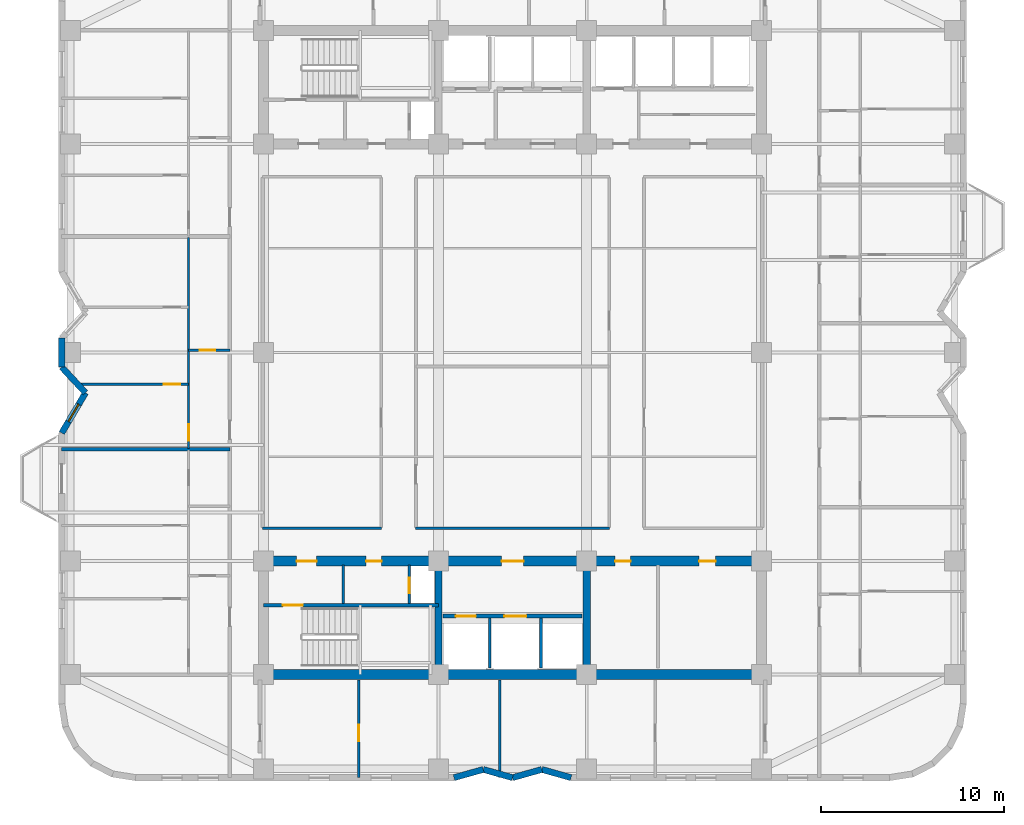
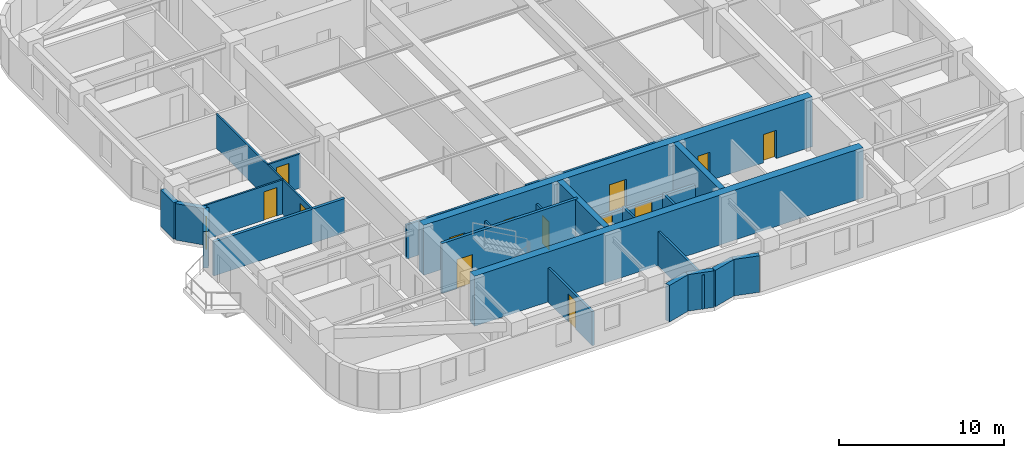
# One storey, part 3 of 10: 25 walls, 13 doors, 1 window, 14 openings.
"""IFC4 building model written with IfcOpenShell, lengths in metres."""

from ifc_helpers import new_model, si_unit, direction, frame, frame_2d, origin, place, context, subcontext, project, spatial, rectangle, extrude, material, layer, layer_set, type_object, element, fill, save


model = new_model("IFC4")

# Units and contexts
model_context = context("Model", 3, precision=1e-05, world=origin(), true_north=direction((0.0, 1.0)))
body_context = subcontext(model_context, "Body", "Model", "MODEL_VIEW")
ifc_project = project(units=[si_unit("LENGTHUNIT", "METRE"), si_unit("AREAUNIT", "SQUARE_METRE"), si_unit("VOLUMEUNIT", "CUBIC_METRE"), si_unit("PLANEANGLEUNIT", "RADIAN"), si_unit("MASSUNIT", "GRAM", prefix="KILO")], contexts=[model_context])

# Site, building, storey
site_placement = place(None, origin())
site = spatial("IfcSite", under=ifc_project, at=site_placement, CompositionType="ELEMENT")
building_placement = place(site_placement, origin())
building = spatial("IfcBuilding", under=site, at=building_placement, Name="Svetorya Sky Lyceum", CompositionType="ELEMENT")
storey_placement = place(building_placement, frame((0.0, 0.0, 114.199951171875)))
storey = spatial("IfcBuildingStorey", under=building, at=storey_placement, Name="L28", CompositionType="ELEMENT", Elevation=114.199951171875)

# Walls
ifc_material_1 = material(Name="Concrete C40/50", Category="concrete")
ifc_layer_1 = layer(ifc_material_1, 0.39990234375)
ifc_layer_set_1 = layer_set([ifc_layer_1], Name="Concrete C40/50")
wall_type_1 = type_object("IfcWallType", Name="WL-CORE-400", PredefinedType="SHEAR", material=ifc_layer_set_1)
for number, where, z_axis, x_axis, name in (
    (1, (35.14990234375, 10.875, 0.0), (0.0, 0.0, 1.0), (0.0, 1.0, 0.0), "L28 SC Internal Shear Web WEB1"),
    (2, (43.25, 10.875, 0.0), (0.0, 0.0, 1.0), (0.0, 1.0, 0.0), "L28 SC Internal Shear Web WEB2"),
):
    element("IfcWall", number, at=place(storey_placement, frame(where, z_axis=z_axis, x_axis=x_axis)), inside=storey, type_object=wall_type_1, Name=name, PredefinedType="SHEAR", context=body_context, shape_type="SweptSolid", body=[
        extrude(rectangle(XDim=5.64990234375, YDim=0.39990234375, at=frame_2d((2.824951171875, 0.0))), origin(), (0.0, 0.0, 1.0), 3.699951171875),
    ])
ifc_material_2 = material(Name="Concrete C60/75", Category="concrete")
ifc_layer_2 = layer(ifc_material_2, 0.550048828125)
ifc_layer_set_2 = layer_set([ifc_layer_2], Name="Concrete C60/75")
wall_type_2 = type_object("IfcWallType", Name="WL-CORE-550", PredefinedType="SHEAR", material=ifc_layer_set_2)
wall_1_placement = place(storey_placement, frame((52.800048828125, 10.60009765625, 0.0), z_axis=(0.0, 0.0, 1.0), x_axis=(-1.0, 0.0, 0.0)))
element("IfcWall", 3, at=wall_1_placement, inside=storey, type_object=wall_type_2, Name="L28 SC Outer Core Shear Wall", PredefinedType="SHEAR", context=body_context, shape_type="SweptSolid", body=[
    extrude(rectangle(XDim=27.199951171875, YDim=0.550048828125, at=frame_2d((13.60009765625, 0.0))), origin(), (0.0, 0.0, 1.0), 3.699951171875),
])

# Wall, openings, doors
wall_2_placement = place(storey_placement, frame((25.60009765625, 16.800048828125, 0.0), z_axis=(0.0, 0.0, 1.0), x_axis=(1.0, 0.0, 0.0)))
wall_2 = element("IfcWall", 4, at=wall_2_placement, inside=storey, type_object=wall_type_2, Name="L28 SC Inner Core Shear Wall", PredefinedType="SHEAR", context=body_context, shape_type="SweptSolid", body=[
    extrude(rectangle(XDim=27.199951171875, YDim=0.550048828125, at=frame_2d((13.60009765625, 0.0))), origin(), (0.0, 0.0, 1.0), 3.699951171875),
])
opening_1_placement = place(wall_2_placement, frame((1.800048828125, 0.0, 0.0)))
opening_1 = element("IfcOpeningElement", 5, at=opening_1_placement, cuts=wall_2, Name="Opening D-ST1", PredefinedType="OPENING", context=body_context, shape_type="SweptSolid", body=[
    extrude(rectangle(XDim=1.10009765625, YDim=2.14990234375, at=frame_2d((0.550048828125, 1.074951171875))), frame((0.0, 0.284912109375, 0.0), z_axis=(0.0, -1.0, 0.0), x_axis=(1.0, 0.0, 0.0)), (0.0, 0.0, 1.0), 0.570068359375),
])
opening_2_placement = place(wall_2_placement, frame((5.60009765625, 0.0, 0.0)))
opening_2 = element("IfcOpeningElement", 6, at=opening_2_placement, cuts=wall_2, Name="Opening D-CWC1", PredefinedType="OPENING", context=body_context, shape_type="SweptSolid", body=[
    extrude(rectangle(XDim=0.85009765625, YDim=2.10009765625, at=frame_2d((0.425048828125, 1.050048828125))), frame((0.0, 0.284912109375, 0.0), z_axis=(0.0, -1.0, 0.0), x_axis=(1.0, 0.0, 0.0)), (0.0, 0.0, 1.0), 0.570068359375),
])
opening_3_placement = place(wall_2_placement, frame((13.0, 0.0, 0.0)))
opening_3 = element("IfcOpeningElement", 7, at=opening_3_placement, cuts=wall_2, Name="Opening D-FL1", PredefinedType="OPENING", context=body_context, shape_type="SweptSolid", body=[
    extrude(rectangle(XDim=1.199951171875, YDim=2.14990234375, at=frame_2d((0.60009765625, 1.074951171875))), frame((0.0, 0.284912109375, 0.0), z_axis=(0.0, -1.0, 0.0), x_axis=(1.0, 0.0, 0.0)), (0.0, 0.0, 1.0), 0.570068359375),
])
opening_4_placement = place(wall_2_placement, frame((19.199951171875, 0.0, 0.0)))
opening_4 = element("IfcOpeningElement", 8, at=opening_4_placement, cuts=wall_2, Name="Opening D-CWC1", PredefinedType="OPENING", context=body_context, shape_type="SweptSolid", body=[
    extrude(rectangle(XDim=0.85009765625, YDim=2.10009765625, at=frame_2d((0.425048828125, 1.050048828125))), frame((0.0, 0.284912109375, 0.0), z_axis=(0.0, -1.0, 0.0), x_axis=(1.0, 0.0, 0.0)), (0.0, 0.0, 1.0), 0.570068359375),
])
opening_5_placement = place(wall_2_placement, frame((23.800048828125, 0.0, 0.0)))
opening_5 = element("IfcOpeningElement", 9, at=opening_5_placement, cuts=wall_2, Name="Opening D-RM1", PredefinedType="OPENING", context=body_context, shape_type="SweptSolid", body=[
    extrude(rectangle(XDim=0.89990234375, YDim=2.10009765625, at=frame_2d((0.449951171875, 1.050048828125))), frame((0.0, 0.284912109375, 0.0), z_axis=(0.0, -1.0, 0.0), x_axis=(1.0, 0.0, 0.0)), (0.0, 0.0, 1.0), 0.570068359375),
])
ifc_material_3 = material(Name="Fire-rated galvanized steel core service closet door", Category="steel")
door_type_1 = type_object("IfcDoorType", Name="DR-CWET-850", OperationType="SINGLE_SWING_LEFT", PredefinedType="DOOR", material=ifc_material_3)
door_1_placement = place(opening_2_placement, origin())
door_1 = element("IfcDoor", 10, at=door_1_placement, inside=storey, type_object=door_type_1, Name="L28 South Hydrant Room Door", OperationType="SINGLE_SWING_LEFT", OverallHeight=2.10009765625, OverallWidth=0.85009765625, PredefinedType="DOOR", context=body_context, shape_type="SweptSolid", body=[
    extrude(rectangle(XDim=0.85009765625, YDim=2.10009765625, at=frame_2d((0.425048828125, 1.050048828125))), frame((0.0, 0.02490234375, 0.0), z_axis=(0.0, -1.0, 0.0), x_axis=(1.0, 0.0, 0.0)), (0.0, 0.0, 1.0), 0.050048828125),
])
fill(opening_2, door_1)
door_2_placement = place(opening_4_placement, origin())
door_2 = element("IfcDoor", 11, at=door_2_placement, inside=storey, type_object=door_type_1, Name="L28 Laundry Door", OperationType="SINGLE_SWING_RIGHT", OverallHeight=2.10009765625, OverallWidth=0.85009765625, PredefinedType="DOOR", context=body_context, shape_type="SweptSolid", body=[
    extrude(rectangle(XDim=0.85009765625, YDim=2.10009765625, at=frame_2d((0.425048828125, 1.050048828125))), frame((0.0, 0.02490234375, 0.0), z_axis=(0.0, -1.0, 0.0), x_axis=(1.0, 0.0, 0.0)), (0.0, 0.0, 1.0), 0.050048828125),
])
fill(opening_4, door_2)
ifc_material_4 = material(Name="Powder-coated insulated galvanized stair fire door")
door_type_2 = type_object("IfcDoorType", Name="DR-FIRE-1100", OperationType="SINGLE_SWING_LEFT", PredefinedType="DOOR", material=ifc_material_4)
door_3_placement = place(opening_1_placement, origin())
door_3 = element("IfcDoor", 12, at=door_3_placement, inside=storey, type_object=door_type_2, Name="L28 South Stair Airlock Door", OperationType="SINGLE_SWING_RIGHT", OverallHeight=2.14990234375, OverallWidth=1.10009765625, PredefinedType="DOOR", context=body_context, shape_type="SweptSolid", body=[
    extrude(rectangle(XDim=1.10009765625, YDim=2.14990234375, at=frame_2d((0.550048828125, 1.074951171875))), frame((0.0, 0.02490234375, 0.0), z_axis=(0.0, -1.0, 0.0), x_axis=(1.0, 0.0, 0.0)), (0.0, 0.0, 1.0), 0.050048828125),
])
fill(opening_1, door_3)
ifc_material_5 = material(Name="Powder-coated insulated galvanized fire door")
door_type_3 = type_object("IfcDoorType", Name="DR-FIRE-1200", OperationType="SINGLE_SWING_LEFT", PredefinedType="DOOR", material=ifc_material_5)
door_4_placement = place(opening_3_placement, origin())
door_4 = element("IfcDoor", 13, at=door_4_placement, inside=storey, type_object=door_type_3, Name="L28 South Firefighting Lift Lobby Door", OperationType="SINGLE_SWING_LEFT", OverallHeight=2.14990234375, OverallWidth=1.199951171875, PredefinedType="DOOR", context=body_context, shape_type="SweptSolid", body=[
    extrude(rectangle(XDim=1.199951171875, YDim=2.14990234375, at=frame_2d((0.60009765625, 1.074951171875))), frame((0.0, 0.02490234375, 0.0), z_axis=(0.0, -1.0, 0.0), x_axis=(1.0, 0.0, 0.0)), (0.0, 0.0, 1.0), 0.050048828125),
])
fill(opening_3, door_4)
ifc_material_6 = material(Name="Lacquered birch veneer internal door")
door_type_4 = type_object("IfcDoorType", Name="DR-INT-900", OperationType="SINGLE_SWING_LEFT", PredefinedType="DOOR", material=ifc_material_6)
door_5_placement = place(opening_5_placement, origin())
door_5 = element("IfcDoor", 14, at=door_5_placement, inside=storey, type_object=door_type_4, Name="L28 Pantry Door", OperationType="SINGLE_SWING_LEFT", OverallHeight=2.10009765625, OverallWidth=0.89990234375, PredefinedType="DOOR", context=body_context, shape_type="SweptSolid", body=[
    extrude(rectangle(XDim=0.89990234375, YDim=2.10009765625, at=frame_2d((0.449951171875, 1.050048828125))), frame((0.0, 0.02490234375, 0.0), z_axis=(0.0, -1.0, 0.0), x_axis=(1.0, 0.0, 0.0)), (0.0, 0.0, 1.0), 0.050048828125),
])
fill(opening_5, door_5)

# Walls
ifc_material_7 = material(Name="Putilovo limestone rainscreen on autoclaved cellular masonry", Category="masonry")
ifc_layer_3 = layer(ifc_material_7, 0.340087890625)
ifc_layer_set_3 = layer_set([ifc_layer_3], Name="Putilovo limestone rainscreen on autoclaved cellular masonry")
wall_type_3 = type_object("IfcWallType", Name="WL-EXT-340", PredefinedType="SOLIDWALL", material=ifc_layer_set_3)
wall_3_placement = place(storey_placement, frame((36.0, 4.969970703125, 0.0), z_axis=(0.0, 0.0, 1.0), x_axis=(0.962662902433, 0.270703040766, 0.0)))
element("IfcWall", 15, at=wall_3_placement, inside=storey, type_object=wall_type_3, Name="L28 Limestone Exterior Wall 7M", PredefinedType="SOLIDWALL", context=body_context, shape_type="SweptSolid", body=[
    extrude(rectangle(XDim=1.662109375, YDim=0.340087890625, at=frame_2d((0.8310546875, 0.0))), origin(), (0.0, 0.0, 1.0), 2.699951171875),
])
wall_4_placement = place(storey_placement, frame((37.60009765625, 5.419921875, 0.0), z_axis=(0.0, 0.0, 1.0), x_axis=(0.962652136636, -0.270741322725, 0.0)))
element("IfcWall", 16, at=wall_4_placement, inside=storey, type_object=wall_type_3, Name="L28 Limestone Exterior Wall 8M", PredefinedType="SOLIDWALL", context=body_context, shape_type="SweptSolid", body=[
    extrude(rectangle(XDim=1.661865234375, YDim=0.340087890625, at=frame_2d((0.8310546875, 0.0))), origin(), (0.0, 0.0, 1.0), 2.699951171875),
])
wall_5_placement = place(storey_placement, frame((39.199951171875, 4.969970703125, 0.0), z_axis=(0.0, 0.0, 1.0), x_axis=(0.962662902433, 0.270703040766, 0.0)))
element("IfcWall", 17, at=wall_5_placement, inside=storey, type_object=wall_type_3, Name="L28 Limestone Exterior Wall 9M", PredefinedType="SOLIDWALL", context=body_context, shape_type="SweptSolid", body=[
    extrude(rectangle(XDim=1.662109375, YDim=0.340087890625, at=frame_2d((0.8310546875, 0.0))), origin(), (0.0, 0.0, 1.0), 2.699951171875),
])
wall_6_placement = place(storey_placement, frame((40.800048828125, 5.419921875, 0.0), z_axis=(0.0, 0.0, 1.0), x_axis=(0.962652136636, -0.270741322725, 0.0)))
element("IfcWall", 18, at=wall_6_placement, inside=storey, type_object=wall_type_3, Name="L28 Limestone Exterior Wall 10M", PredefinedType="SOLIDWALL", context=body_context, shape_type="SweptSolid", body=[
    extrude(rectangle(XDim=1.661865234375, YDim=0.340087890625, at=frame_2d((0.8310546875, 0.0))), origin(), (0.0, 0.0, 1.0), 2.699951171875),
])
wall_7_placement = place(storey_placement, frame((14.570068359375, 29.0, 0.0), z_axis=(0.0, 0.0, 1.0), x_axis=(0.0, -1.0, 0.0)))
element("IfcWall", 19, at=wall_7_placement, inside=storey, type_object=wall_type_3, Name="L28 Limestone Exterior Wall 43M", PredefinedType="SOLIDWALL", context=body_context, shape_type="SweptSolid", body=[
    extrude(rectangle(XDim=1.60009765625, YDim=0.340087890625, at=frame_2d((0.800048828125, 0.0))), origin(), (0.0, 0.0, 1.0), 2.699951171875),
])
wall_8_placement = place(storey_placement, frame((14.570068359375, 27.39990234375, 0.0), z_axis=(0.0, 0.0, 1.0), x_axis=(0.68049031116, -0.732757078722, 0.0)))
element("IfcWall", 20, at=wall_8_placement, inside=storey, type_object=wall_type_3, Name="L28 Limestone Exterior Wall 44M", PredefinedType="SOLIDWALL", context=body_context, shape_type="SweptSolid", body=[
    extrude(rectangle(XDim=1.910400390625, YDim=0.340087890625, at=frame_2d((0.955078125, 0.0))), origin(), (0.0, 0.0, 1.0), 2.699951171875),
])

# Wall, opening, window
wall_9_placement = place(storey_placement, frame((15.8701171875, 26.0, 0.0), z_axis=(0.0, 0.0, 1.0), x_axis=(-0.508751843651, -0.860913213734, 0.0)))
wall_9 = element("IfcWall", 21, at=wall_9_placement, inside=storey, type_object=wall_type_3, Name="L28 Limestone Exterior Wall 45M", PredefinedType="SOLIDWALL", context=body_context, shape_type="SweptSolid", body=[
    extrude(rectangle(XDim=2.555419921875, YDim=0.340087890625, at=frame_2d((1.27783203125, 0.0))), origin(), (0.0, 0.0, 1.0), 2.699951171875),
])
opening_6_placement = place(wall_9_placement, frame((0.727783203125, 0.0, 0.889892578125)))
opening_6 = element("IfcOpeningElement", 22, at=opening_6_placement, cuts=wall_9, Name="Opening W-R3", PredefinedType="OPENING", context=body_context, shape_type="SweptSolid", body=[
    extrude(rectangle(XDim=1.10009765625, YDim=1.64990234375, at=frame_2d((0.550048828125, 0.824951171875))), frame((0.0, 0.179931640625, 0.0), z_axis=(0.0, -1.0, 0.0), x_axis=(1.0, 0.0, 0.0)), (0.0, 0.0, 1.0), 0.360107421875),
])
ifc_material_8 = material(Name="Thermally broken aluminium frame with triple low-E glazing", Category="aluminium")
window_type = type_object("IfcWindowType", Name="WN-RES-110", PartitioningType="SINGLE_PANEL", PredefinedType="WINDOW", material=ifc_material_8)
window_placement = place(opening_6_placement, origin())
window = element("IfcWindow", 23, at=window_placement, inside=storey, type_object=window_type, Name="L28 Facade Window W-R3.45M.1", OverallHeight=1.64990234375, OverallWidth=1.10009765625, PartitioningType="SINGLE_PANEL", PredefinedType="WINDOW", context=body_context, shape_type="SweptSolid", body=[
    extrude(rectangle(XDim=1.10009765625, YDim=1.64990234375, at=frame_2d((0.550048828125, 0.824951171875))), frame((0.0, 0.030029296875, 0.0), z_axis=(0.0, -1.0, 0.0), x_axis=(1.0, 0.0, 0.0)), (0.0, 0.0, 1.0), 0.06005859375),
])
fill(opening_6, window)

# Wall, opening, door
ifc_material_9 = material(Name="Twin-stud galvanized framing with double fireboard", Category="gypsum")
ifc_layer_4 = layer(ifc_material_9, 0.1201171875)
ifc_layer_set_4 = layer_set([ifc_layer_4], Name="Twin-stud galvanized framing with double fireboard")
wall_type_4 = type_object("IfcWallType", Name="WL-PART-120", PredefinedType="PARTITIONING", material=ifc_layer_set_4)
wall_10_placement = place(storey_placement, frame((21.5, 28.320068359375, 0.0), z_axis=(0.0, 0.0, 1.0), x_axis=(1.0, 0.0, 0.0)))
wall_10 = element("IfcWall", 24, at=wall_10_placement, inside=storey, type_object=wall_type_4, Name="L28 Interior Partition W2-WH1", PredefinedType="PARTITIONING", context=body_context, shape_type="SweptSolid", body=[
    extrude(rectangle(XDim=2.25, YDim=0.1201171875, at=frame_2d((1.125, 0.0))), origin(), (0.0, 0.0, 1.0), 2.530029296875),
])
opening_7_placement = place(wall_10_placement, frame((0.60009765625, 0.0, 0.0)))
opening_7 = element("IfcOpeningElement", 25, at=opening_7_placement, cuts=wall_10, Name="Opening D-BT1", PredefinedType="OPENING", context=body_context, shape_type="SweptSolid", body=[
    extrude(rectangle(XDim=0.85009765625, YDim=2.10009765625, at=frame_2d((0.425048828125, 1.050048828125))), frame((0.0, 0.070068359375, 0.0), z_axis=(0.0, -1.0, 0.0), x_axis=(1.0, 0.0, 0.0)), (0.0, 0.0, 1.0), 0.14013671875),
])
ifc_material_10 = material(Name="Moisture-resistant laminate bathroom door")
door_type_5 = type_object("IfcDoorType", Name="DR-WET-850", OperationType="SINGLE_SWING_LEFT", PredefinedType="DOOR", material=ifc_material_10)
door_6_placement = place(opening_7_placement, origin())
door_6 = element("IfcDoor", 26, at=door_6_placement, inside=storey, type_object=door_type_5, Name="Apartment W2 Bathroom Door", OperationType="SINGLE_SWING_RIGHT", OverallHeight=2.10009765625, OverallWidth=0.85009765625, PredefinedType="DOOR", context=body_context, shape_type="SweptSolid", body=[
    extrude(rectangle(XDim=0.85009765625, YDim=2.10009765625, at=frame_2d((0.425048828125, 1.050048828125))), frame((0.0, 0.02490234375, 0.0), z_axis=(0.0, -1.0, 0.0), x_axis=(1.0, 0.0, 0.0)), (0.0, 0.0, 1.0), 0.050048828125),
])
fill(opening_7, door_6)

wall_11_placement = place(storey_placement, frame((15.43359375, 26.469970703125, 0.0), z_axis=(0.0, 0.0, 1.0), x_axis=(1.0, 0.0, 0.0)))
wall_11 = element("IfcWall", 27, at=wall_11_placement, inside=storey, type_object=wall_type_4, Name="L28 Interior Partition W2-WL1", PredefinedType="PARTITIONING", context=body_context, shape_type="SweptSolid", body=[
    extrude(rectangle(XDim=6.06640625, YDim=0.1201171875, at=frame_2d((3.033203125, 0.0))), origin(), (0.0, 0.0, 1.0), 2.530029296875),
])
opening_8_placement = place(wall_11_placement, frame((4.71630859375, 0.0, 0.0)))
opening_8 = element("IfcOpeningElement", 28, at=opening_8_placement, cuts=wall_11, Name="Opening D-RM1", PredefinedType="OPENING", context=body_context, shape_type="SweptSolid", body=[
    extrude(rectangle(XDim=0.89990234375, YDim=2.10009765625, at=frame_2d((0.449951171875, 1.050048828125))), frame((0.0, 0.070068359375, 0.0), z_axis=(0.0, -1.0, 0.0), x_axis=(1.0, 0.0, 0.0)), (0.0, 0.0, 1.0), 0.14013671875),
])
door_7_placement = place(opening_8_placement, origin())
door_7 = element("IfcDoor", 29, at=door_7_placement, inside=storey, type_object=door_type_4, Name="Apartment W2 Master Bedroom Door", OperationType="SINGLE_SWING_RIGHT", OverallHeight=2.10009765625, OverallWidth=0.89990234375, PredefinedType="DOOR", context=body_context, shape_type="SweptSolid", body=[
    extrude(rectangle(XDim=0.89990234375, YDim=2.10009765625, at=frame_2d((0.449951171875, 1.050048828125))), frame((0.0, 0.02490234375, 0.0), z_axis=(0.0, -1.0, 0.0), x_axis=(1.0, 0.0, 0.0)), (0.0, 0.0, 1.0), 0.050048828125),
])
fill(opening_8, door_7)

wall_12_placement = place(storey_placement, frame((21.5, 22.9599609375, 0.0), z_axis=(0.0, 0.0, 1.0), x_axis=(0.0, 1.0, 0.0)))
wall_12 = element("IfcWall", 30, at=wall_12_placement, inside=storey, type_object=wall_type_4, Name="L28 Interior Partition W2-WV", PredefinedType="PARTITIONING", context=body_context, shape_type="SweptSolid", body=[
    extrude(rectangle(XDim=11.5361328125, YDim=0.1201171875, at=frame_2d((5.76806640625, 0.0))), origin(), (0.0, 0.0, 1.0), 2.530029296875),
])
opening_9_placement = place(wall_12_placement, frame((0.409912109375, 0.0, 0.0)))
opening_9 = element("IfcOpeningElement", 31, at=opening_9_placement, cuts=wall_12, Name="Opening D-RM1", PredefinedType="OPENING", context=body_context, shape_type="SweptSolid", body=[
    extrude(rectangle(XDim=0.89990234375, YDim=2.10009765625, at=frame_2d((0.449951171875, 1.050048828125))), frame((0.0, 0.070068359375, 0.0), z_axis=(0.0, -1.0, 0.0), x_axis=(1.0, 0.0, 0.0)), (0.0, 0.0, 1.0), 0.14013671875),
])
door_8_placement = place(opening_9_placement, origin())
door_8 = element("IfcDoor", 32, at=door_8_placement, inside=storey, type_object=door_type_4, Name="Apartment W2 Living Door", OperationType="SINGLE_SWING_LEFT", OverallHeight=2.10009765625, OverallWidth=0.89990234375, PredefinedType="DOOR", context=body_context, shape_type="SweptSolid", body=[
    extrude(rectangle(XDim=0.89990234375, YDim=2.10009765625, at=frame_2d((0.449951171875, 1.050048828125))), frame((0.0, 0.02490234375, 0.0), z_axis=(0.0, -1.0, 0.0), x_axis=(1.0, 0.0, 0.0)), (0.0, 0.0, 1.0), 0.050048828125),
])
fill(opening_9, door_8)

# Wall
ifc_material_11 = material(Name="Autoclaved cellular masonry blockwork with acoustic render", Category="masonry")
ifc_layer_5 = layer(ifc_material_11, 0.14990234375)
ifc_layer_set_5 = layer_set([ifc_layer_5], Name="Autoclaved cellular masonry blockwork with acoustic render")
wall_type_5 = type_object("IfcWallType", Name="WL-PART-150", PredefinedType="PARTITIONING", material=ifc_layer_set_5)
wall_13_placement = place(storey_placement, frame((29.949951171875, 14.5, 0.0), z_axis=(0.0, 0.0, 1.0), x_axis=(0.0, 1.0, 0.0)))
element("IfcWall", 33, at=wall_13_placement, inside=storey, type_object=wall_type_5, Name="L28 Interior Partition SC-SWD1", PredefinedType="PARTITIONING", context=body_context, shape_type="SweptSolid", body=[
    extrude(rectangle(XDim=2.080078125, YDim=0.14990234375, at=frame_2d((1.0400390625, 0.0))), origin(), (0.0, 0.0, 1.0), 2.530029296875),
])

# Wall, opening, door
wall_14_placement = place(storey_placement, frame((33.550048828125, 14.5, 0.0), z_axis=(0.0, 0.0, 1.0), x_axis=(0.0, 1.0, 0.0)))
wall_14 = element("IfcWall", 34, at=wall_14_placement, inside=storey, type_object=wall_type_5, Name="L28 Interior Partition SC-SWD2", PredefinedType="PARTITIONING", context=body_context, shape_type="SweptSolid", body=[
    extrude(rectangle(XDim=2.080078125, YDim=0.14990234375, at=frame_2d((1.0400390625, 0.0))), origin(), (0.0, 0.0, 1.0), 2.530029296875),
])
opening_10_placement = place(wall_14_placement, frame((0.550048828125, 0.0, 0.0)))
opening_10 = element("IfcOpeningElement", 35, at=opening_10_placement, cuts=wall_14, Name="Opening D-SH1", PredefinedType="OPENING", context=body_context, shape_type="SweptSolid", body=[
    extrude(rectangle(XDim=0.85009765625, YDim=2.050048828125, at=frame_2d((0.425048828125, 1.02490234375))), frame((0.0, 0.0849609375, 0.0), z_axis=(0.0, -1.0, 0.0), x_axis=(1.0, 0.0, 0.0)), (0.0, 0.0, 1.0), 0.169921875),
])
ifc_material_12 = material(Name="Insulated galvanized riser inspection fire door")
door_type_6 = type_object("IfcDoorType", Name="DR-SHFT-850", OperationType="SINGLE_SWING_LEFT", PredefinedType="TRAPDOOR", material=ifc_material_12)
door_9_placement = place(opening_10_placement, origin())
door_9 = element("IfcDoor", 36, at=door_9_placement, inside=storey, type_object=door_type_6, Name="L28 South Riser Access Door", OperationType="SINGLE_SWING_RIGHT", OverallHeight=2.050048828125, OverallWidth=0.85009765625, PredefinedType="TRAPDOOR", context=body_context, shape_type="SweptSolid", body=[
    extrude(rectangle(XDim=0.85009765625, YDim=2.050048828125, at=frame_2d((0.425048828125, 1.02490234375))), frame((0.0, 0.02490234375, 0.0), z_axis=(0.0, -1.0, 0.0), x_axis=(1.0, 0.0, 0.0)), (0.0, 0.0, 1.0), 0.050048828125),
])
fill(opening_10, door_9)

# Walls
for number, where, z_axis, x_axis, name in (
    (37, (37.949951171875, 10.949951171875, 0.0), (0.0, 0.0, 1.0), (0.0, 1.0, 0.0), "L28 Interior Partition SC-SHD1"),
    (38, (40.75, 10.949951171875, 0.0), (0.0, 0.0, 1.0), (0.0, 1.0, 0.0), "L28 Interior Partition SC-SHD2"),
):
    element("IfcWall", number, at=place(storey_placement, frame(where, z_axis=z_axis, x_axis=x_axis)), inside=storey, type_object=wall_type_5, Name=name, PredefinedType="PARTITIONING", context=body_context, shape_type="SweptSolid", body=[
        extrude(rectangle(XDim=2.75, YDim=0.14990234375, at=frame_2d((1.375, 0.0))), origin(), (0.0, 0.0, 1.0), 2.530029296875),
    ])
wall_15_placement = place(storey_placement, frame((25.550048828125, 18.60009765625, 0.0), z_axis=(0.0, 0.0, 1.0), x_axis=(1.0, 0.0, 0.0)))
element("IfcWall", 39, at=wall_15_placement, inside=storey, type_object=wall_type_5, Name="L28 Interior Partition RL-CS-W", PredefinedType="PARTITIONING", context=body_context, shape_type="SweptSolid", body=[
    extrude(rectangle(XDim=6.5, YDim=0.14990234375, at=frame_2d((3.25, 0.0))), origin(), (0.0, 0.0, 1.0), 2.530029296875),
])
wall_16_placement = place(storey_placement, frame((33.89990234375, 18.60009765625, 0.0), z_axis=(0.0, 0.0, 1.0), x_axis=(1.0, 0.0, 0.0)))
element("IfcWall", 40, at=wall_16_placement, inside=storey, type_object=wall_type_5, Name="L28 Interior Partition RL-CS-M", PredefinedType="PARTITIONING", context=body_context, shape_type="SweptSolid", body=[
    extrude(rectangle(XDim=10.60009765625, YDim=0.14990234375, at=frame_2d((5.300048828125, 0.0))), origin(), (0.0, 0.0, 1.0), 2.530029296875),
])

# Wall, opening, door
wall_17_placement = place(storey_placement, frame((30.800048828125, 4.969970703125, 0.0), z_axis=(0.0, 0.0, 1.0), x_axis=(0.0, 1.0, 0.0)))
wall_17 = element("IfcWall", 41, at=wall_17_placement, inside=storey, type_object=wall_type_5, Name="L28 Interior Partition S4-D1", PredefinedType="PARTITIONING", context=body_context, shape_type="SweptSolid", body=[
    extrude(rectangle(XDim=5.330078125, YDim=0.14990234375, at=frame_2d((2.6650390625, 0.0))), origin(), (0.0, 0.0, 1.0), 2.530029296875),
])
opening_11_placement = place(wall_17_placement, frame((2.0, 0.0, 0.0)))
opening_11 = element("IfcOpeningElement", 42, at=opening_11_placement, cuts=wall_17, Name="Opening D-RM1", PredefinedType="OPENING", context=body_context, shape_type="SweptSolid", body=[
    extrude(rectangle(XDim=0.89990234375, YDim=2.10009765625, at=frame_2d((0.449951171875, 1.050048828125))), frame((0.0, 0.0849609375, 0.0), z_axis=(0.0, -1.0, 0.0), x_axis=(1.0, 0.0, 0.0)), (0.0, 0.0, 1.0), 0.169921875),
])
door_10_placement = place(opening_11_placement, origin())
door_10 = element("IfcDoor", 43, at=door_10_placement, inside=storey, type_object=door_type_4, Name="L28 South Suite Door 1", OperationType="SINGLE_SWING_LEFT", OverallHeight=2.10009765625, OverallWidth=0.89990234375, PredefinedType="DOOR", context=body_context, shape_type="SweptSolid", body=[
    extrude(rectangle(XDim=0.89990234375, YDim=2.10009765625, at=frame_2d((0.449951171875, 1.050048828125))), frame((0.0, 0.02490234375, 0.0), z_axis=(0.0, -1.0, 0.0), x_axis=(1.0, 0.0, 0.0)), (0.0, 0.0, 1.0), 0.050048828125),
])
fill(opening_11, door_10)

# Wall
wall_18_placement = place(storey_placement, frame((38.5, 4.969970703125, 0.0), z_axis=(0.0, 0.0, 1.0), x_axis=(0.0, 1.0, 0.0)))
element("IfcWall", 44, at=wall_18_placement, inside=storey, type_object=wall_type_5, Name="L28 Interior Partition S4-D2", PredefinedType="PARTITIONING", context=body_context, shape_type="SweptSolid", body=[
    extrude(rectangle(XDim=5.330078125, YDim=0.14990234375, at=frame_2d((2.6650390625, 0.0))), origin(), (0.0, 0.0, 1.0), 2.530029296875),
])

# Wall, openings, doors
ifc_material_13 = material(Name="Autoclaved cellular masonry blockwork with gypsum plaster", Category="masonry")
ifc_layer_6 = layer(ifc_material_13, 0.199951171875)
ifc_layer_set_6 = layer_set([ifc_layer_6], Name="Autoclaved cellular masonry blockwork with gypsum plaster")
wall_type_6 = type_object("IfcWallType", Name="WL-PART-200", PredefinedType="PARTITIONING", material=ifc_layer_set_6)
wall_19_placement = place(storey_placement, frame((35.39990234375, 13.800048828125, 0.0), z_axis=(0.0, 0.0, 1.0), x_axis=(1.0, 0.0, 0.0)))
wall_19 = element("IfcWall", 45, at=wall_19_placement, inside=storey, type_object=wall_type_6, Name="L28 Interior Partition SC-FLW", PredefinedType="PARTITIONING", context=body_context, shape_type="SweptSolid", body=[
    extrude(rectangle(XDim=7.60009765625, YDim=0.199951171875, at=frame_2d((3.800048828125, 0.0))), origin(), (0.0, 0.0, 1.0), 2.300048828125),
])
opening_12_placement = place(wall_19_placement, frame((0.699951171875, 0.0, 0.0)))
opening_12 = element("IfcOpeningElement", 46, at=opening_12_placement, cuts=wall_19, Name="Opening LD-FL", PredefinedType="OPENING", context=body_context, shape_type="SweptSolid", body=[
    extrude(rectangle(XDim=1.10009765625, YDim=2.14990234375, at=frame_2d((0.550048828125, 1.074951171875))), frame((0.0, 0.10986328125, 0.0), z_axis=(0.0, -1.0, 0.0), x_axis=(1.0, 0.0, 0.0)), (0.0, 0.0, 1.0), 0.219970703125),
])
opening_13_placement = place(wall_19_placement, frame((3.35009765625, 0.0, 0.0)))
opening_13 = element("IfcOpeningElement", 47, at=opening_13_placement, cuts=wall_19, Name="Opening LD-SV", PredefinedType="OPENING", context=body_context, shape_type="SweptSolid", body=[
    extrude(rectangle(XDim=1.199951171875, YDim=2.14990234375, at=frame_2d((0.60009765625, 1.074951171875))), frame((0.0, 0.10986328125, 0.0), z_axis=(0.0, -1.0, 0.0), x_axis=(1.0, 0.0, 0.0)), (0.0, 0.0, 1.0), 0.219970703125),
])
ifc_material_14 = material(Name="Fire-rated stainless AISI 304 firefighting lift landing door")
door_type_7 = type_object("IfcDoorType", Name="DR-LIFT-1100", OperationType="SLIDING_TO_LEFT", PredefinedType="DOOR", material=ifc_material_14)
door_11_placement = place(opening_12_placement, origin())
door_11 = element("IfcDoor", 48, at=door_11_placement, inside=storey, type_object=door_type_7, Name="L28 Firefighting Lift FL2 Landing Door", OperationType="SLIDING_TO_LEFT", OverallHeight=2.14990234375, OverallWidth=1.10009765625, PredefinedType="DOOR", context=body_context, shape_type="SweptSolid", body=[
    extrude(rectangle(XDim=1.10009765625, YDim=2.14990234375, at=frame_2d((0.550048828125, 1.074951171875))), frame((0.0, 0.02490234375, 0.0), z_axis=(0.0, -1.0, 0.0), x_axis=(1.0, 0.0, 0.0)), (0.0, 0.0, 1.0), 0.050048828125),
])
fill(opening_12, door_11)
ifc_material_15 = material(Name="Brushed stainless AISI 304 telescopic lift landing door")
door_type_8 = type_object("IfcDoorType", Name="DR-LIFT-1200", OperationType="SLIDING_TO_LEFT", PredefinedType="DOOR", material=ifc_material_15)
door_12_placement = place(opening_13_placement, origin())
door_12 = element("IfcDoor", 49, at=door_12_placement, inside=storey, type_object=door_type_8, Name="L28 Service Lift SVL1 Landing Door", OperationType="SLIDING_TO_LEFT", OverallHeight=2.14990234375, OverallWidth=1.199951171875, PredefinedType="DOOR", context=body_context, shape_type="SweptSolid", body=[
    extrude(rectangle(XDim=1.199951171875, YDim=2.14990234375, at=frame_2d((0.60009765625, 1.074951171875))), frame((0.0, 0.02490234375, 0.0), z_axis=(0.0, -1.0, 0.0), x_axis=(1.0, 0.0, 0.0)), (0.0, 0.0, 1.0), 0.050048828125),
])
fill(opening_13, door_12)

# Wall
wall_20_placement = place(storey_placement, frame((14.570068359375, 22.919921875, 0.0), z_axis=(0.0, 0.0, 1.0), x_axis=(1.0, 0.0, 0.0)))
element("IfcWall", 50, at=wall_20_placement, inside=storey, type_object=wall_type_6, Name="L28 Interior Partition W-PARTY-1", PredefinedType="PARTITIONING", context=body_context, shape_type="SweptSolid", body=[
    extrude(rectangle(XDim=9.179931640625, YDim=0.199951171875, at=frame_2d((4.58984375, 0.0))), origin(), (0.0, 0.0, 1.0), 2.530029296875),
])

# Wall, opening, door
ifc_material_16 = material(Name="Concrete C50/60", Category="concrete")
ifc_layer_7 = layer(ifc_material_16, 0.199951171875)
ifc_layer_set_7 = layer_set([ifc_layer_7], Name="Concrete C50/60")
wall_type_7 = type_object("IfcWallType", Name="WL-SHW-200", PredefinedType="SHEAR", material=ifc_layer_set_7)
wall_21_placement = place(storey_placement, frame((25.60009765625, 14.39990234375, 0.0), z_axis=(0.0, 0.0, 1.0), x_axis=(1.0, 0.0, 0.0)))
wall_21 = element("IfcWall", 51, at=wall_21_placement, inside=storey, type_object=wall_type_7, Name="L28 Structural Stair Shaft Wall SC-STW", PredefinedType="SHEAR", context=body_context, shape_type="SweptSolid", body=[
    extrude(rectangle(XDim=9.5498046875, YDim=0.199951171875, at=frame_2d((4.77490234375, 0.0))), origin(), (0.0, 0.0, 1.0), 3.699951171875),
])
opening_14_placement = place(wall_21_placement, frame((1.050048828125, 0.0, 0.0)))
opening_14 = element("IfcOpeningElement", 52, at=opening_14_placement, cuts=wall_21, Name="Opening D-ST1", PredefinedType="OPENING", context=body_context, shape_type="SweptSolid", body=[
    extrude(rectangle(XDim=1.10009765625, YDim=2.14990234375, at=frame_2d((0.550048828125, 1.074951171875))), frame((0.0, 0.10986328125, 0.0), z_axis=(0.0, -1.0, 0.0), x_axis=(1.0, 0.0, 0.0)), (0.0, 0.0, 1.0), 0.219970703125),
])
door_13_placement = place(opening_14_placement, origin())
door_13 = element("IfcDoor", 53, at=door_13_placement, inside=storey, type_object=door_type_2, Name="L28 Stair ST-S Vestibule Fire Door", OperationType="SINGLE_SWING_LEFT", OverallHeight=2.14990234375, OverallWidth=1.10009765625, PredefinedType="DOOR", context=body_context, shape_type="SweptSolid", body=[
    extrude(rectangle(XDim=1.10009765625, YDim=2.14990234375, at=frame_2d((0.550048828125, 1.074951171875))), frame((0.0, 0.02490234375, 0.0), z_axis=(0.0, -1.0, 0.0), x_axis=(1.0, 0.0, 0.0)), (0.0, 0.0, 1.0), 0.050048828125),
])
fill(opening_14, door_13)

save(model, "model.ifc")
